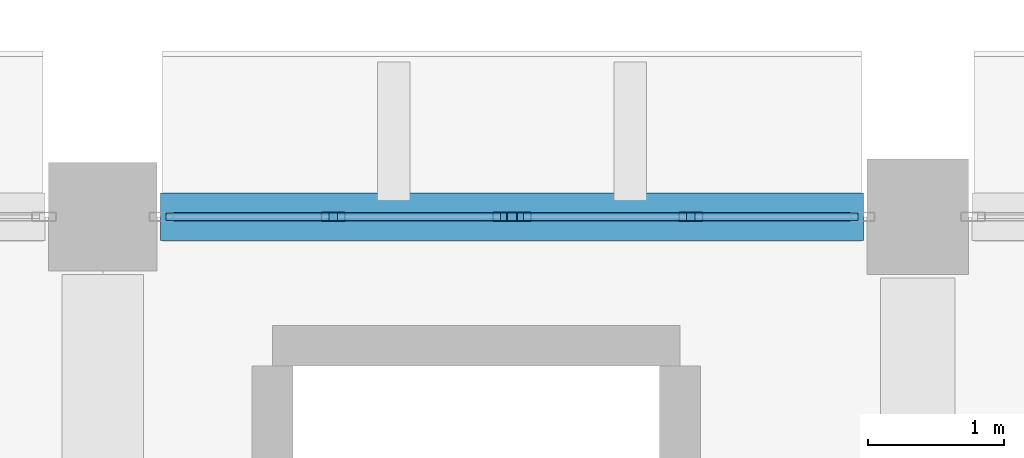
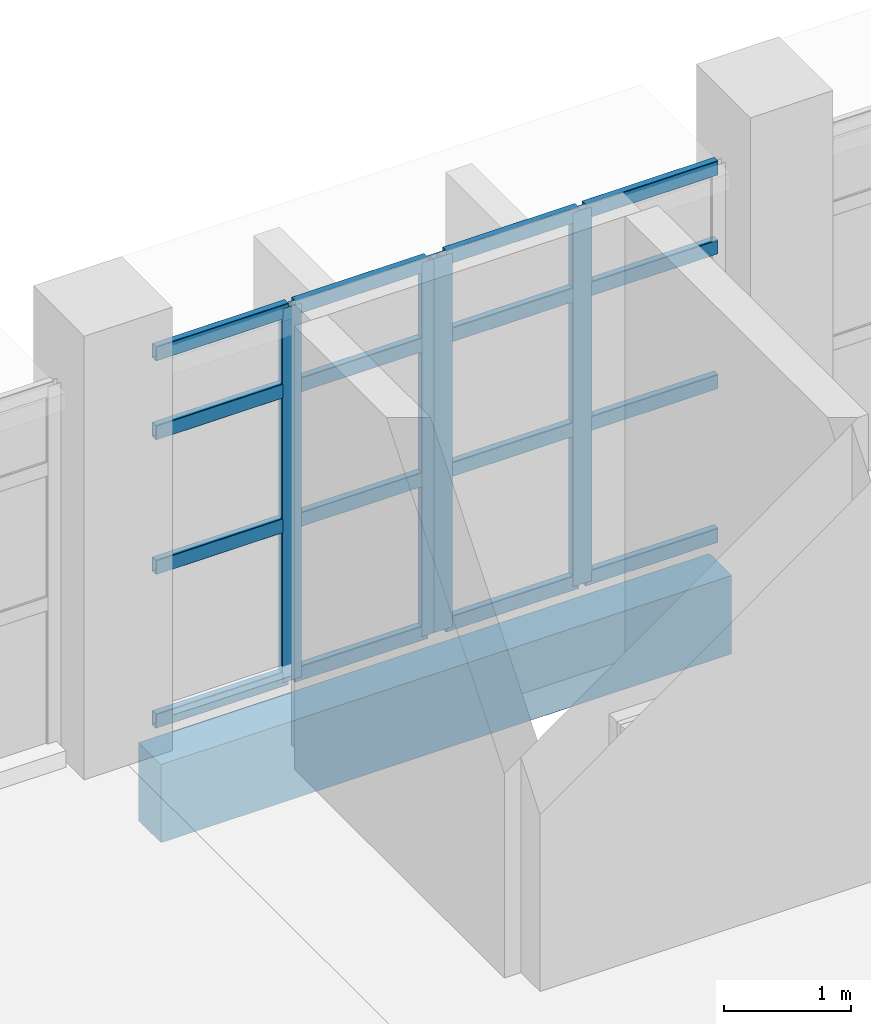
# One storey, part 30 of 76: 20 members, 1 beam, 2 elements without a shape of their own.
"""IFC4 building model written with IfcOpenShell, lengths in metres."""

from ifc_helpers import new_model, si_unit, direction, frame, origin, origin_2d, place, context, subcontext, project, spatial, rectangle, hollow_rectangle, extrude, material, material_profile, profile_set, type_object, element, aggregate, save


model = new_model("IFC4")

# Units and contexts
model_context = context("Model", 3, precision=1e-05, world=origin(), true_north=direction((0.0, 1.0)))
body_context = subcontext(model_context, "Body", "Model", "MODEL_VIEW")
ifc_project = project(units=[si_unit("LENGTHUNIT", "METRE"), si_unit("AREAUNIT", "SQUARE_METRE"), si_unit("VOLUMEUNIT", "CUBIC_METRE"), si_unit("PLANEANGLEUNIT", "RADIAN"), si_unit("MASSUNIT", "GRAM", prefix="KILO")], contexts=[model_context])

# Site, building, storey
site_placement = place(None, origin())
site = spatial("IfcSite", under=ifc_project, at=site_placement, CompositionType="ELEMENT")
building_placement = place(site_placement, origin())
building = spatial("IfcBuilding", under=site, at=building_placement, Name="Varnakota Cinema and Media Centre", CompositionType="ELEMENT")
storey_placement = place(building_placement, origin())
storey = spatial("IfcBuildingStorey", under=building, at=storey_placement, Name="L00", CompositionType="ELEMENT", Elevation=0.0)

# Beam
ifc_material_1 = material(Name="Concrete M40", Category="concrete")
ifc_material_profile_1 = material_profile(ifc_material_1, rectangle(XDim=0.35009765625, YDim=0.75, at=origin_2d()), Name="RCB 350x750")
ifc_profile_set_1 = profile_set([ifc_material_profile_1], Name="Concrete M40")
beam_type = type_object("IfcBeamType", Name="BM-SP-350x750", PredefinedType="SPANDREL", material=ifc_profile_set_1)
beam_placement = place(storey_placement, frame((75.425048828125, 44.0, -0.655029296875), z_axis=(1.0, 0.0, 0.0), x_axis=(0.0, 1.0, 0.0)))
element("IfcBeam", 1, at=beam_placement, inside=storey, type_object=beam_type, Name="L00 girder K-L/6", PredefinedType="SPANDREL", context=body_context, shape_type="SweptSolid", body=[
    extrude(rectangle(XDim=0.35009765625, YDim=0.75, at=origin_2d()), origin(), (0.0, 0.0, 1.0), 5.175048828125),
])

# Curtain wall, members
ifc_material_2 = material(Name="Thermally broken anodised aluminium AW-6063", Category="aluminium")
curtain_wall_type = type_object("IfcCurtainWallType", Name="CW-STD-259x358", PredefinedType="USERDEFINED", material=ifc_material_2)
curtain_wall_1_placement = place(storey_placement, origin())
curtain_wall_1 = element("IfcCurtainWall", 2, at=curtain_wall_1_placement, inside=storey, type_object=curtain_wall_type, Name="L00 curtain wall CW-L00-V1-N-01-1", ObjectType="UNITISED CURTAIN WALL", PredefinedType="USERDEFINED")
ifc_material_3 = material(Name="Thermally broken anodised aluminium AW-6063", Category="aluminium")
ifc_material_profile_2 = material_profile(ifc_material_3, hollow_rectangle(XDim=0.06494140625, YDim=0.179931640625, WallThickness=0.00390625, InnerFilletRadius=0.00390625, OuterFilletRadius=0.008056640625, at=origin_2d()), Name="AL-MULLION 180x65x4")
ifc_profile_set_2 = profile_set([ifc_material_profile_2], Name="Thermally broken anodised aluminium AW-6063")
member_type_1 = type_object("IfcMemberType", Name="CWM-AL-180", PredefinedType="MULLION", material=ifc_profile_set_2)
member_1_placement = place(storey_placement, frame((76.6962890625, 44.0, 0.0), z_axis=(0.0, 0.0, 1.0), x_axis=(0.0, 1.0, 0.0)))
member_1 = element("IfcMember", 3, at=member_1_placement, type_object=member_type_1, Name="CW06 mullion 2", PredefinedType="MULLION", context=body_context, shape_type="SweptSolid", body=[
    extrude(hollow_rectangle(XDim=0.06494140625, YDim=0.179931640625, WallThickness=0.00390625, InnerFilletRadius=0.00390625, OuterFilletRadius=0.008056640625, at=origin_2d()), origin(), (0.0, 0.0, 1.0), 3.5849609375),
])
member_2_placement = place(storey_placement, frame((77.9599609375, 44.0, 0.0), z_axis=(0.0, 0.0, 1.0), x_axis=(0.0, 1.0, 0.0)))
member_2 = element("IfcMember", 4, at=member_2_placement, type_object=member_type_1, Name="CW06 mullion 3", PredefinedType="MULLION", context=body_context, shape_type="SweptSolid", body=[
    extrude(hollow_rectangle(XDim=0.06494140625, YDim=0.179931640625, WallThickness=0.00390625, InnerFilletRadius=0.00390625, OuterFilletRadius=0.008056640625, at=origin_2d()), origin(), (0.0, 0.0, 1.0), 3.5849609375),
])

curtain_wall_2_placement = place(storey_placement, origin())
curtain_wall_2 = element("IfcCurtainWall", 5, at=curtain_wall_2_placement, inside=storey, type_object=curtain_wall_type, Name="L00 curtain wall CW-L00-V1-N-01-2", ObjectType="UNITISED CURTAIN WALL", PredefinedType="USERDEFINED")
member_3_placement = place(storey_placement, frame((78.06494140625, 44.0, 0.0), z_axis=(0.0, 0.0, 1.0), x_axis=(0.0, 1.0, 0.0)))
member_3 = element("IfcMember", 6, at=member_3_placement, type_object=member_type_1, Name="CW06 mullion 1", PredefinedType="MULLION", context=body_context, shape_type="SweptSolid", body=[
    extrude(hollow_rectangle(XDim=0.06494140625, YDim=0.179931640625, WallThickness=0.00390625, InnerFilletRadius=0.00390625, OuterFilletRadius=0.008056640625, at=origin_2d()), origin(), (0.0, 0.0, 1.0), 3.5849609375),
])
member_4_placement = place(storey_placement, frame((79.328857421875, 44.0, 0.0), z_axis=(0.0, 0.0, 1.0), x_axis=(0.0, 1.0, 0.0)))
member_4 = element("IfcMember", 7, at=member_4_placement, type_object=member_type_1, Name="CW06 mullion 2", PredefinedType="MULLION", context=body_context, shape_type="SweptSolid", body=[
    extrude(hollow_rectangle(XDim=0.06494140625, YDim=0.179931640625, WallThickness=0.00390625, InnerFilletRadius=0.00390625, OuterFilletRadius=0.008056640625, at=origin_2d()), origin(), (0.0, 0.0, 1.0), 3.5849609375),
])

# Member
ifc_material_4 = material(Name="Thermally broken anodised aluminium AW-6063", Category="aluminium")
ifc_material_profile_3 = material_profile(ifc_material_4, hollow_rectangle(XDim=0.06494140625, YDim=0.139892578125, WallThickness=0.00390625, InnerFilletRadius=0.00390625, OuterFilletRadius=0.008056640625, at=origin_2d()), Name="AL-TRANSOM 140x65x4")
ifc_profile_set_3 = profile_set([ifc_material_profile_3], Name="Thermally broken anodised aluminium AW-6063")
member_type_2 = type_object("IfcMemberType", Name="CWT-AL-140", PredefinedType="USERDEFINED", material=ifc_profile_set_3)
member_5_placement = place(storey_placement, frame((75.465087890625, 44.0, 0.032470703125), z_axis=(1.0, 0.0, 0.0), x_axis=(0.0, 1.0, 0.0)))
member_5 = element("IfcMember", 8, at=member_5_placement, type_object=member_type_2, Name="CW06 transom 1.1", ObjectType="TRANSOM", PredefinedType="USERDEFINED", context=body_context, shape_type="SweptSolid", body=[
    extrude(hollow_rectangle(XDim=0.06494140625, YDim=0.139892578125, WallThickness=0.00390625, InnerFilletRadius=0.00390625, OuterFilletRadius=0.008056640625, at=origin_2d()), origin(), (0.0, 0.0, 1.0), 1.19873046875),
])

member_6_placement = place(storey_placement, frame((75.465087890625, 44.0, 1.505615234375), z_axis=(1.0, 0.0, 0.0), x_axis=(0.0, 1.0, 0.0)))
member_6 = element("IfcMember", 9, at=member_6_placement, type_object=member_type_2, Name="CW06 transom 1.2", ObjectType="TRANSOM", PredefinedType="USERDEFINED", context=body_context, shape_type="SweptSolid", body=[
    extrude(hollow_rectangle(XDim=0.06494140625, YDim=0.139892578125, WallThickness=0.00390625, InnerFilletRadius=0.00390625, OuterFilletRadius=0.008056640625, at=origin_2d()), origin(), (0.0, 0.0, 1.0), 1.19873046875),
])

member_7_placement = place(storey_placement, frame((75.465087890625, 44.0, 2.79638671875), z_axis=(1.0, 0.0, 0.0), x_axis=(0.0, 1.0, 0.0)))
member_7 = element("IfcMember", 10, at=member_7_placement, type_object=member_type_2, Name="CW06 transom 1.3", ObjectType="TRANSOM", PredefinedType="USERDEFINED", context=body_context, shape_type="SweptSolid", body=[
    extrude(hollow_rectangle(XDim=0.06494140625, YDim=0.139892578125, WallThickness=0.00390625, InnerFilletRadius=0.00390625, OuterFilletRadius=0.008056640625, at=origin_2d()), origin(), (0.0, 0.0, 1.0), 1.19873046875),
])

member_8_placement = place(storey_placement, frame((75.465087890625, 44.0, 3.552490234375), z_axis=(1.0, 0.0, 0.0), x_axis=(0.0, 1.0, 0.0)))
member_8 = element("IfcMember", 11, at=member_8_placement, type_object=member_type_2, Name="CW06 transom 1.4", ObjectType="TRANSOM", PredefinedType="USERDEFINED", context=body_context, shape_type="SweptSolid", body=[
    extrude(hollow_rectangle(XDim=0.06494140625, YDim=0.139892578125, WallThickness=0.00390625, InnerFilletRadius=0.00390625, OuterFilletRadius=0.008056640625, at=origin_2d()), origin(), (0.0, 0.0, 1.0), 1.19873046875),
])

member_9_placement = place(storey_placement, frame((76.728759765625, 44.0, 0.032470703125), z_axis=(1.0, 0.0, 0.0), x_axis=(0.0, 1.0, 0.0)))
member_9 = element("IfcMember", 12, at=member_9_placement, type_object=member_type_2, Name="CW06 transom 2.1", ObjectType="TRANSOM", PredefinedType="USERDEFINED", context=body_context, shape_type="SweptSolid", body=[
    extrude(hollow_rectangle(XDim=0.06494140625, YDim=0.139892578125, WallThickness=0.00390625, InnerFilletRadius=0.00390625, OuterFilletRadius=0.008056640625, at=origin_2d()), origin(), (0.0, 0.0, 1.0), 1.19873046875),
])

member_10_placement = place(storey_placement, frame((76.728759765625, 44.0, 1.505615234375), z_axis=(1.0, 0.0, 0.0), x_axis=(0.0, 1.0, 0.0)))
member_10 = element("IfcMember", 13, at=member_10_placement, type_object=member_type_2, Name="CW06 transom 2.2", ObjectType="TRANSOM", PredefinedType="USERDEFINED", context=body_context, shape_type="SweptSolid", body=[
    extrude(hollow_rectangle(XDim=0.06494140625, YDim=0.139892578125, WallThickness=0.00390625, InnerFilletRadius=0.00390625, OuterFilletRadius=0.008056640625, at=origin_2d()), origin(), (0.0, 0.0, 1.0), 1.19873046875),
])

member_11_placement = place(storey_placement, frame((76.728759765625, 44.0, 2.79638671875), z_axis=(1.0, 0.0, 0.0), x_axis=(0.0, 1.0, 0.0)))
member_11 = element("IfcMember", 14, at=member_11_placement, type_object=member_type_2, Name="CW06 transom 2.3", ObjectType="TRANSOM", PredefinedType="USERDEFINED", context=body_context, shape_type="SweptSolid", body=[
    extrude(hollow_rectangle(XDim=0.06494140625, YDim=0.139892578125, WallThickness=0.00390625, InnerFilletRadius=0.00390625, OuterFilletRadius=0.008056640625, at=origin_2d()), origin(), (0.0, 0.0, 1.0), 1.19873046875),
])

member_12_placement = place(storey_placement, frame((76.728759765625, 44.0, 3.552490234375), z_axis=(1.0, 0.0, 0.0), x_axis=(0.0, 1.0, 0.0)))
member_12 = element("IfcMember", 15, at=member_12_placement, type_object=member_type_2, Name="CW06 transom 2.4", ObjectType="TRANSOM", PredefinedType="USERDEFINED", context=body_context, shape_type="SweptSolid", body=[
    extrude(hollow_rectangle(XDim=0.06494140625, YDim=0.139892578125, WallThickness=0.00390625, InnerFilletRadius=0.00390625, OuterFilletRadius=0.008056640625, at=origin_2d()), origin(), (0.0, 0.0, 1.0), 1.19873046875),
])

aggregate(curtain_wall_1, [member_1, member_2, member_5, member_6, member_7, member_8, member_9, member_10, member_11, member_12])

member_13_placement = place(storey_placement, frame((78.097412109375, 44.0, 0.032470703125), z_axis=(1.0, 0.0, 0.0), x_axis=(0.0, 1.0, 0.0)))
member_13 = element("IfcMember", 16, at=member_13_placement, type_object=member_type_2, Name="CW06 transom 1.1", ObjectType="TRANSOM", PredefinedType="USERDEFINED", context=body_context, shape_type="SweptSolid", body=[
    extrude(hollow_rectangle(XDim=0.06494140625, YDim=0.139892578125, WallThickness=0.00390625, InnerFilletRadius=0.00390625, OuterFilletRadius=0.008056640625, at=origin_2d()), origin(), (0.0, 0.0, 1.0), 1.19873046875),
])

member_14_placement = place(storey_placement, frame((78.097412109375, 44.0, 1.505615234375), z_axis=(1.0, 0.0, 0.0), x_axis=(0.0, 1.0, 0.0)))
member_14 = element("IfcMember", 17, at=member_14_placement, type_object=member_type_2, Name="CW06 transom 1.2", ObjectType="TRANSOM", PredefinedType="USERDEFINED", context=body_context, shape_type="SweptSolid", body=[
    extrude(hollow_rectangle(XDim=0.06494140625, YDim=0.139892578125, WallThickness=0.00390625, InnerFilletRadius=0.00390625, OuterFilletRadius=0.008056640625, at=origin_2d()), origin(), (0.0, 0.0, 1.0), 1.19873046875),
])

member_15_placement = place(storey_placement, frame((78.097412109375, 44.0, 2.79638671875), z_axis=(1.0, 0.0, 0.0), x_axis=(0.0, 1.0, 0.0)))
member_15 = element("IfcMember", 18, at=member_15_placement, type_object=member_type_2, Name="CW06 transom 1.3", ObjectType="TRANSOM", PredefinedType="USERDEFINED", context=body_context, shape_type="SweptSolid", body=[
    extrude(hollow_rectangle(XDim=0.06494140625, YDim=0.139892578125, WallThickness=0.00390625, InnerFilletRadius=0.00390625, OuterFilletRadius=0.008056640625, at=origin_2d()), origin(), (0.0, 0.0, 1.0), 1.19873046875),
])

member_16_placement = place(storey_placement, frame((78.097412109375, 44.0, 3.552490234375), z_axis=(1.0, 0.0, 0.0), x_axis=(0.0, 1.0, 0.0)))
member_16 = element("IfcMember", 19, at=member_16_placement, type_object=member_type_2, Name="CW06 transom 1.4", ObjectType="TRANSOM", PredefinedType="USERDEFINED", context=body_context, shape_type="SweptSolid", body=[
    extrude(hollow_rectangle(XDim=0.06494140625, YDim=0.139892578125, WallThickness=0.00390625, InnerFilletRadius=0.00390625, OuterFilletRadius=0.008056640625, at=origin_2d()), origin(), (0.0, 0.0, 1.0), 1.19873046875),
])

member_17_placement = place(storey_placement, frame((79.361328125, 44.0, 0.032470703125), z_axis=(1.0, 0.0, 0.0), x_axis=(0.0, 1.0, 0.0)))
member_17 = element("IfcMember", 20, at=member_17_placement, type_object=member_type_2, Name="CW06 transom 2.1", ObjectType="TRANSOM", PredefinedType="USERDEFINED", context=body_context, shape_type="SweptSolid", body=[
    extrude(hollow_rectangle(XDim=0.06494140625, YDim=0.139892578125, WallThickness=0.00390625, InnerFilletRadius=0.00390625, OuterFilletRadius=0.008056640625, at=origin_2d()), origin(), (0.0, 0.0, 1.0), 1.19873046875),
])

member_18_placement = place(storey_placement, frame((79.361328125, 44.0, 1.505615234375), z_axis=(1.0, 0.0, 0.0), x_axis=(0.0, 1.0, 0.0)))
member_18 = element("IfcMember", 21, at=member_18_placement, type_object=member_type_2, Name="CW06 transom 2.2", ObjectType="TRANSOM", PredefinedType="USERDEFINED", context=body_context, shape_type="SweptSolid", body=[
    extrude(hollow_rectangle(XDim=0.06494140625, YDim=0.139892578125, WallThickness=0.00390625, InnerFilletRadius=0.00390625, OuterFilletRadius=0.008056640625, at=origin_2d()), origin(), (0.0, 0.0, 1.0), 1.19873046875),
])

member_19_placement = place(storey_placement, frame((79.361328125, 44.0, 2.79638671875), z_axis=(1.0, 0.0, 0.0), x_axis=(0.0, 1.0, 0.0)))
member_19 = element("IfcMember", 22, at=member_19_placement, type_object=member_type_2, Name="CW06 transom 2.3", ObjectType="TRANSOM", PredefinedType="USERDEFINED", context=body_context, shape_type="SweptSolid", body=[
    extrude(hollow_rectangle(XDim=0.06494140625, YDim=0.139892578125, WallThickness=0.00390625, InnerFilletRadius=0.00390625, OuterFilletRadius=0.008056640625, at=origin_2d()), origin(), (0.0, 0.0, 1.0), 1.19873046875),
])

member_20_placement = place(storey_placement, frame((79.361328125, 44.0, 3.552490234375), z_axis=(1.0, 0.0, 0.0), x_axis=(0.0, 1.0, 0.0)))
member_20 = element("IfcMember", 23, at=member_20_placement, type_object=member_type_2, Name="CW06 transom 2.4", ObjectType="TRANSOM", PredefinedType="USERDEFINED", context=body_context, shape_type="SweptSolid", body=[
    extrude(hollow_rectangle(XDim=0.06494140625, YDim=0.139892578125, WallThickness=0.00390625, InnerFilletRadius=0.00390625, OuterFilletRadius=0.008056640625, at=origin_2d()), origin(), (0.0, 0.0, 1.0), 1.19873046875),
])

aggregate(curtain_wall_2, [member_3, member_4, member_13, member_14, member_15, member_16, member_17, member_18, member_19, member_20])

save(model, "model.ifc")
